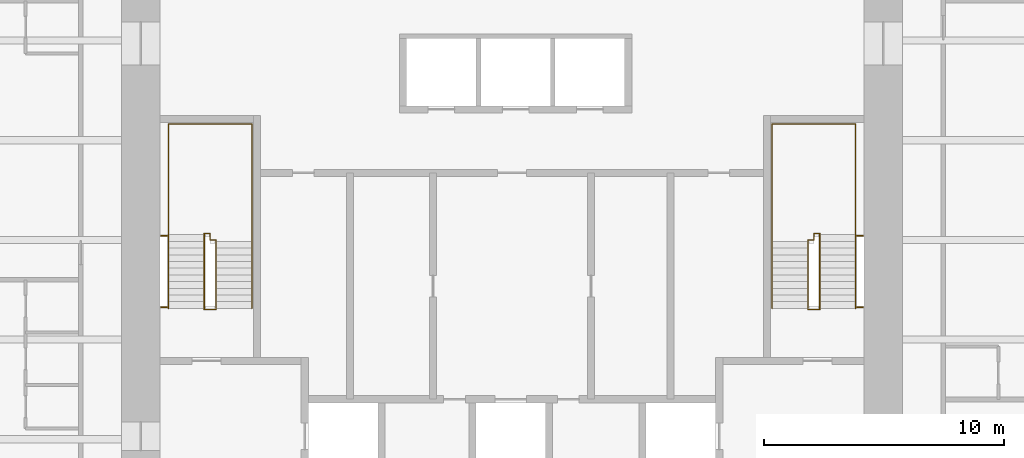
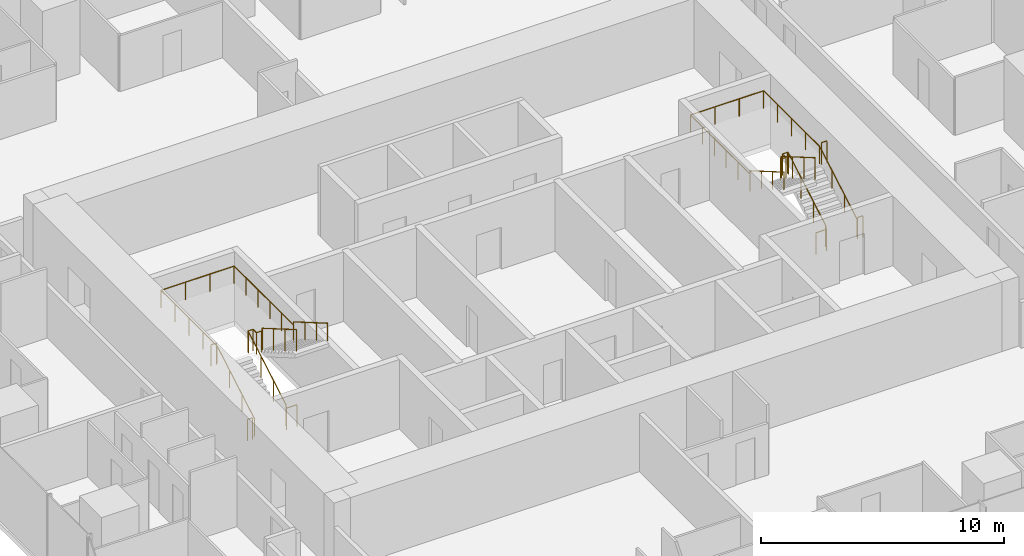
# One storey, part 12 of 12: 8 railings.
"""IFC4 building model written with IfcOpenShell, lengths in metres."""

from ifc_helpers import new_model, si_unit, direction, frame, origin, origin_2d, place, context, subcontext, project, spatial, circle, extrude, material, type_object, element, save


model = new_model("IFC4")

# Units and contexts
model_context = context("Model", 3, precision=1e-05, world=origin(), true_north=direction((0.0, 1.0)))
body_context = subcontext(model_context, "Body", "Model", "MODEL_VIEW")
ifc_project = project(units=[si_unit("LENGTHUNIT", "METRE"), si_unit("AREAUNIT", "SQUARE_METRE"), si_unit("VOLUMEUNIT", "CUBIC_METRE"), si_unit("PLANEANGLEUNIT", "RADIAN"), si_unit("MASSUNIT", "GRAM", prefix="KILO")], contexts=[model_context])

# Site, building, storey
site_placement = place(None, origin())
site = spatial("IfcSite", under=ifc_project, at=site_placement, CompositionType="ELEMENT")
building_placement = place(site_placement, origin())
building = spatial("IfcBuilding", under=site, at=building_placement, Name="Khuree Lantern Residences", CompositionType="ELEMENT")
storey_placement = place(building_placement, frame((0.0, 0.0, 214.5)))
storey = spatial("IfcBuildingStorey", under=building, at=storey_placement, Name="L53", CompositionType="ELEMENT", Elevation=214.5)

# Railings
ifc_material = material(Name="Steel S355", Category="steel")
railing_type_1 = type_object("IfcRailingType", Name="STAIR GUARD G1 1100", PredefinedType="GUARDRAIL", material=ifc_material)
railing_1_placement = place(storey_placement, frame((-12.35009765625, -2.909912109375, 0.0)))
element("IfcRailing", 1, at=railing_1_placement, inside=storey, type_object=railing_type_1, Name="Stair ST1 guard", PredefinedType="GUARDRAIL", context=body_context, shape_type="SweptSolid", body=[
    extrude(circle(Radius=0.02392578125, at=origin_2d()), frame((0.0, 0.0, 1.076171875), z_axis=(-1.0, 0.0, 0.0), x_axis=(0.0, -1.0, 0.0)), (0.0, 0.0, 1.0), 0.5),
    extrude(circle(Radius=0.02392578125, at=origin_2d()), frame((-0.5, 0.0, 1.076171875), z_axis=(0.0, 0.292073035251, 0.95639601739), x_axis=(-1.0, 0.0, 0.0)), (0.0, 0.0, 1.0), 0.17041015625),
    extrude(circle(Radius=0.02392578125, at=origin_2d()), frame((-0.5, 0.0498046875, 1.2392578125), z_axis=(0.0, 0.864176135923, 0.503189433615), x_axis=(-1.0, 0.0, 0.0)), (0.0, 0.0, 1.0), 3.564208984375),
    extrude(circle(Radius=0.02392578125, at=origin_2d()), frame((-0.5, 3.1298828125, 3.03271484375), z_axis=(0.0, 1.0, 0.0), x_axis=(-1.0, 0.0, 0.0)), (0.0, 0.0, 1.0), 0.050048828125),
    extrude(circle(Radius=0.02392578125, at=origin_2d()), frame((-0.5, 3.179931640625, 3.03271484375), z_axis=(1.0, 0.0, 0.0), x_axis=(0.0, 1.0, 0.0)), (0.0, 0.0, 1.0), 0.25),
    extrude(circle(Radius=0.02392578125, at=origin_2d()), frame((-0.25, 3.179931640625, 3.03271484375), z_axis=(0.0, -1.0, 0.0), x_axis=(1.0, 0.0, 0.0)), (0.0, 0.0, 1.0), 0.280029296875),
    extrude(circle(Radius=0.02392578125, at=origin_2d()), frame((-0.25, 2.89990234375, 3.03271484375), z_axis=(1.0, 0.0, 0.0), x_axis=(0.0, 1.0, 0.0)), (0.0, 0.0, 1.0), 0.25),
    extrude(circle(Radius=0.02392578125, at=origin_2d()), frame((0.0, 2.89990234375, 3.03271484375), z_axis=(0.0, -0.293381807449, 0.955995353053), x_axis=(1.0, 0.0, 0.0)), (0.0, 0.0, 1.0), 0.170654296875),
    extrude(circle(Radius=0.02392578125, at=origin_2d()), frame((0.0, 2.849853515625, 3.19580078125), z_axis=(0.0, -0.864180358799, 0.503182181189), x_axis=(1.0, 0.0, 0.0)), (0.0, 0.0, 1.0), 3.240234375),
    extrude(circle(Radius=0.02099609375, at=origin_2d()), origin(), (0.0, 0.0, 1.0), 1.052001953125),
    extrude(circle(Radius=0.02099609375, at=origin_2d()), frame((-0.5, 0.0, 0.0)), (0.0, 0.0, 1.0), 1.052001953125),
    extrude(circle(Radius=0.02099609375, at=origin_2d()), frame((-0.5, 0.0498046875, 0.1630859375)), (0.0, 0.0, 1.0), 1.052001953125),
    extrude(circle(Radius=0.02099609375, at=origin_2d()), frame((-0.5, 1.076416015625, 0.760986328125)), (0.0, 0.0, 1.0), 1.052001953125),
    extrude(circle(Radius=0.02099609375, at=origin_2d()), frame((-0.5, 2.103271484375, 1.358642578125)), (0.0, 0.0, 1.0), 1.052001953125),
    extrude(circle(Radius=0.02099609375, at=origin_2d()), frame((-0.5, 3.1298828125, 1.95654296875)), (0.0, 0.0, 1.0), 1.052001953125),
    extrude(circle(Radius=0.02099609375, at=origin_2d()), frame((-0.5, 3.179931640625, 1.95654296875)), (0.0, 0.0, 1.0), 1.052001953125),
    extrude(circle(Radius=0.02099609375, at=origin_2d()), frame((-0.25, 3.179931640625, 1.95654296875)), (0.0, 0.0, 1.0), 1.052001953125),
    extrude(circle(Radius=0.02099609375, at=origin_2d()), frame((-0.25, 2.89990234375, 1.95654296875)), (0.0, 0.0, 1.0), 1.052001953125),
    extrude(circle(Radius=0.02099609375, at=origin_2d()), frame((0.0, 2.89990234375, 1.95654296875)), (0.0, 0.0, 1.0), 1.052001953125),
    extrude(circle(Radius=0.02099609375, at=origin_2d()), frame((0.0, 2.849853515625, 2.11962890625)), (0.0, 0.0, 1.0), 1.052001953125),
    extrude(circle(Radius=0.02099609375, at=origin_2d()), frame((0.0, 1.91650390625, 2.6630859375)), (0.0, 0.0, 1.0), 1.052001953125),
    extrude(circle(Radius=0.02099609375, at=origin_2d()), frame((0.0, 0.983154296875, 3.20654296875)), (0.0, 0.0, 1.0), 1.052001953125),
    extrude(circle(Radius=0.02099609375, at=origin_2d()), frame((0.0, 0.0498046875, 3.75)), (0.0, 0.0, 1.0), 1.052001953125),
])
for number, where, name in (
    (2, (-14.64990234375, -2.81005859375, 0.0), "Stair ST1 landing slot guard"),
    (3, (-14.64990234375, 0.169921875, 1.95654296875), "Stair ST1 landing slot guard"),
):
    element("IfcRailing", number, at=place(storey_placement, frame(where)), inside=storey, type_object=railing_type_1, Name=name, PredefinedType="GUARDRAIL", context=body_context, shape_type="SweptSolid", body=[
        extrude(circle(Radius=0.02392578125, at=origin_2d()), frame((0.0, 0.0, 1.076171875), z_axis=(1.0, 0.0, 0.0), x_axis=(0.0, 1.0, 0.0)), (0.0, 0.0, 1.0), 0.25),
        extrude(circle(Radius=0.02099609375, at=origin_2d()), origin(), (0.0, 0.0, 1.0), 1.052001953125),
        extrude(circle(Radius=0.02099609375, at=origin_2d()), frame((0.25, 0.0, 0.0)), (0.0, 0.0, 1.0), 1.052001953125),
    ])
railing_2_placement = place(storey_placement, frame((12.35009765625, -2.909912109375, 0.0)))
element("IfcRailing", 4, at=railing_2_placement, inside=storey, type_object=railing_type_1, Name="Stair ST2 guard", PredefinedType="GUARDRAIL", context=body_context, shape_type="SweptSolid", body=[
    extrude(circle(Radius=0.02392578125, at=origin_2d()), frame((0.0, 0.0, 1.076171875), z_axis=(1.0, 0.0, 0.0), x_axis=(0.0, 1.0, 0.0)), (0.0, 0.0, 1.0), 0.5),
    extrude(circle(Radius=0.02392578125, at=origin_2d()), frame((0.5, 0.0, 1.076171875), z_axis=(0.0, 0.292073035251, 0.95639601739), x_axis=(-1.0, 0.0, 0.0)), (0.0, 0.0, 1.0), 0.17041015625),
    extrude(circle(Radius=0.02392578125, at=origin_2d()), frame((0.5, 0.0498046875, 1.2392578125), z_axis=(0.0, 0.864176135923, 0.503189433615), x_axis=(-1.0, 0.0, 0.0)), (0.0, 0.0, 1.0), 3.564208984375),
    extrude(circle(Radius=0.02392578125, at=origin_2d()), frame((0.5, 3.1298828125, 3.03271484375), z_axis=(0.0, 1.0, 0.0), x_axis=(-1.0, 0.0, 0.0)), (0.0, 0.0, 1.0), 0.050048828125),
    extrude(circle(Radius=0.02392578125, at=origin_2d()), frame((0.5, 3.179931640625, 3.03271484375), z_axis=(-1.0, 0.0, 0.0), x_axis=(0.0, -1.0, 0.0)), (0.0, 0.0, 1.0), 0.25),
    extrude(circle(Radius=0.02392578125, at=origin_2d()), frame((0.25, 3.179931640625, 3.03271484375), z_axis=(0.0, -1.0, 0.0), x_axis=(1.0, 0.0, 0.0)), (0.0, 0.0, 1.0), 0.280029296875),
    extrude(circle(Radius=0.02392578125, at=origin_2d()), frame((0.25, 2.89990234375, 3.03271484375), z_axis=(-1.0, 0.0, 0.0), x_axis=(0.0, -1.0, 0.0)), (0.0, 0.0, 1.0), 0.25),
    extrude(circle(Radius=0.02392578125, at=origin_2d()), frame((0.0, 2.89990234375, 3.03271484375), z_axis=(0.0, -0.293381807449, 0.955995353053), x_axis=(1.0, 0.0, 0.0)), (0.0, 0.0, 1.0), 0.170654296875),
    extrude(circle(Radius=0.02392578125, at=origin_2d()), frame((0.0, 2.849853515625, 3.19580078125), z_axis=(0.0, -0.864180358799, 0.503182181189), x_axis=(1.0, 0.0, 0.0)), (0.0, 0.0, 1.0), 3.240234375),
    extrude(circle(Radius=0.02099609375, at=origin_2d()), origin(), (0.0, 0.0, 1.0), 1.052001953125),
    extrude(circle(Radius=0.02099609375, at=origin_2d()), frame((0.5, 0.0, 0.0)), (0.0, 0.0, 1.0), 1.052001953125),
    extrude(circle(Radius=0.02099609375, at=origin_2d()), frame((0.5, 0.0498046875, 0.1630859375)), (0.0, 0.0, 1.0), 1.052001953125),
    extrude(circle(Radius=0.02099609375, at=origin_2d()), frame((0.5, 1.076416015625, 0.760986328125)), (0.0, 0.0, 1.0), 1.052001953125),
    extrude(circle(Radius=0.02099609375, at=origin_2d()), frame((0.5, 2.103271484375, 1.358642578125)), (0.0, 0.0, 1.0), 1.052001953125),
    extrude(circle(Radius=0.02099609375, at=origin_2d()), frame((0.5, 3.1298828125, 1.95654296875)), (0.0, 0.0, 1.0), 1.052001953125),
    extrude(circle(Radius=0.02099609375, at=origin_2d()), frame((0.5, 3.179931640625, 1.95654296875)), (0.0, 0.0, 1.0), 1.052001953125),
    extrude(circle(Radius=0.02099609375, at=origin_2d()), frame((0.25, 3.179931640625, 1.95654296875)), (0.0, 0.0, 1.0), 1.052001953125),
    extrude(circle(Radius=0.02099609375, at=origin_2d()), frame((0.25, 2.89990234375, 1.95654296875)), (0.0, 0.0, 1.0), 1.052001953125),
    extrude(circle(Radius=0.02099609375, at=origin_2d()), frame((0.0, 2.89990234375, 1.95654296875)), (0.0, 0.0, 1.0), 1.052001953125),
    extrude(circle(Radius=0.02099609375, at=origin_2d()), frame((0.0, 2.849853515625, 2.11962890625)), (0.0, 0.0, 1.0), 1.052001953125),
    extrude(circle(Radius=0.02099609375, at=origin_2d()), frame((0.0, 1.91650390625, 2.6630859375)), (0.0, 0.0, 1.0), 1.052001953125),
    extrude(circle(Radius=0.02099609375, at=origin_2d()), frame((0.0, 0.983154296875, 3.20654296875)), (0.0, 0.0, 1.0), 1.052001953125),
    extrude(circle(Radius=0.02099609375, at=origin_2d()), frame((0.0, 0.0498046875, 3.75)), (0.0, 0.0, 1.0), 1.052001953125),
])
for number, where, name in (
    (5, (14.64990234375, -2.81005859375, 0.0), "Stair ST2 landing slot guard"),
    (6, (14.64990234375, 0.169921875, 1.95654296875), "Stair ST2 landing slot guard"),
):
    element("IfcRailing", number, at=place(storey_placement, frame(where)), inside=storey, type_object=railing_type_1, Name=name, PredefinedType="GUARDRAIL", context=body_context, shape_type="SweptSolid", body=[
        extrude(circle(Radius=0.02392578125, at=origin_2d()), frame((0.0, 0.0, 1.076171875), z_axis=(-1.0, 0.0, 0.0), x_axis=(0.0, -1.0, 0.0)), (0.0, 0.0, 1.0), 0.25),
        extrude(circle(Radius=0.02099609375, at=origin_2d()), origin(), (0.0, 0.0, 1.0), 1.052001953125),
        extrude(circle(Radius=0.02099609375, at=origin_2d()), frame((-0.25, 0.0, 0.0)), (0.0, 0.0, 1.0), 1.052001953125),
    ])
railing_type_2 = type_object("IfcRailingType", Name="STAIR HANDRAIL H1 900", PredefinedType="HANDRAIL", material=ifc_material)
railing_3_placement = place(storey_placement, frame((-14.340087890625, -2.860107421875, 0.1630859375)))
element("IfcRailing", 7, at=railing_3_placement, inside=storey, type_object=railing_type_2, Name="Stair ST1 handrail", PredefinedType="HANDRAIL", context=body_context, shape_type="SweptSolid", body=[
    extrude(circle(Radius=0.02392578125, at=origin_2d()), frame((0.0, 0.0, 0.8759765625), z_axis=(0.0, 0.864176135923, 0.503189433615), x_axis=(-1.0, 0.0, 0.0)), (0.0, 0.0, 1.0), 3.564208984375),
    extrude(circle(Radius=0.02392578125, at=origin_2d()), frame((0.0, 3.080078125, 2.66943359375), z_axis=(0.0, 1.0, 0.0), x_axis=(-1.0, 0.0, 0.0)), (0.0, 0.0, 1.0), 4.6201171875),
    extrude(circle(Radius=0.02392578125, at=origin_2d()), frame((0.0, 7.7001953125, 2.66943359375), z_axis=(1.0, 0.0, 0.0), x_axis=(0.0, 1.0, 0.0)), (0.0, 0.0, 1.0), 3.47998046875),
    extrude(circle(Radius=0.02392578125, at=origin_2d()), frame((3.47998046875, 7.7001953125, 2.66943359375), z_axis=(0.0, -1.0, 0.0), x_axis=(1.0, 0.0, 0.0)), (0.0, 0.0, 1.0), 4.900146484375),
    extrude(circle(Radius=0.02392578125, at=origin_2d()), frame((3.47998046875, 2.800048828125, 2.66943359375), z_axis=(0.0, 0.0, 1.0), x_axis=(1.0, 0.0, 0.0)), (0.0, 0.0, 1.0), 0.1630859375),
    extrude(circle(Radius=0.02392578125, at=origin_2d()), frame((3.47998046875, 2.800048828125, 2.83251953125), z_axis=(0.0, -0.864180358799, 0.503182181189), x_axis=(1.0, 0.0, 0.0)), (0.0, 0.0, 1.0), 3.240234375),
    extrude(circle(Radius=0.02099609375, at=origin_2d()), origin(), (0.0, 0.0, 1.0), 0.851806640625),
    extrude(circle(Radius=0.02099609375, at=origin_2d()), frame((0.0, 1.026611328125, 0.597900390625)), (0.0, 0.0, 1.0), 0.851806640625),
    extrude(circle(Radius=0.02099609375, at=origin_2d()), frame((0.0, 2.053466796875, 1.195556640625)), (0.0, 0.0, 1.0), 0.851806640625),
    extrude(circle(Radius=0.02099609375, at=origin_2d()), frame((0.0, 3.080078125, 1.79345703125)), (0.0, 0.0, 1.0), 0.851806640625),
    extrude(circle(Radius=0.02099609375, at=origin_2d()), frame((0.0, 4.235107421875, 1.79345703125)), (0.0, 0.0, 1.0), 0.851806640625),
    extrude(circle(Radius=0.02099609375, at=origin_2d()), frame((0.0, 5.39013671875, 1.79345703125)), (0.0, 0.0, 1.0), 0.851806640625),
    extrude(circle(Radius=0.02099609375, at=origin_2d()), frame((0.0, 6.545166015625, 1.79345703125)), (0.0, 0.0, 1.0), 0.851806640625),
    extrude(circle(Radius=0.02099609375, at=origin_2d()), frame((0.0, 7.7001953125, 1.79345703125)), (0.0, 0.0, 1.0), 0.851806640625),
    extrude(circle(Radius=0.02099609375, at=origin_2d()), frame((1.159912109375, 7.7001953125, 1.79345703125)), (0.0, 0.0, 1.0), 0.851806640625),
    extrude(circle(Radius=0.02099609375, at=origin_2d()), frame((2.320068359375, 7.7001953125, 1.79345703125)), (0.0, 0.0, 1.0), 0.851806640625),
    extrude(circle(Radius=0.02099609375, at=origin_2d()), frame((3.47998046875, 7.7001953125, 1.79345703125)), (0.0, 0.0, 1.0), 0.851806640625),
    extrude(circle(Radius=0.02099609375, at=origin_2d()), frame((3.47998046875, 6.72021484375, 1.79345703125)), (0.0, 0.0, 1.0), 0.851806640625),
    extrude(circle(Radius=0.02099609375, at=origin_2d()), frame((3.47998046875, 5.740234375, 1.79345703125)), (0.0, 0.0, 1.0), 0.851806640625),
    extrude(circle(Radius=0.02099609375, at=origin_2d()), frame((3.47998046875, 4.760009765625, 1.79345703125)), (0.0, 0.0, 1.0), 0.851806640625),
    extrude(circle(Radius=0.02099609375, at=origin_2d()), frame((3.47998046875, 3.780029296875, 1.79345703125)), (0.0, 0.0, 1.0), 0.851806640625),
    extrude(circle(Radius=0.02099609375, at=origin_2d()), frame((3.47998046875, 2.800048828125, 1.79345703125)), (0.0, 0.0, 1.0), 0.851806640625),
    extrude(circle(Radius=0.02099609375, at=origin_2d()), frame((3.47998046875, 2.800048828125, 1.95654296875)), (0.0, 0.0, 1.0), 0.851806640625),
    extrude(circle(Radius=0.02099609375, at=origin_2d()), frame((3.47998046875, 1.86669921875, 2.5)), (0.0, 0.0, 1.0), 0.851806640625),
    extrude(circle(Radius=0.02099609375, at=origin_2d()), frame((3.47998046875, 0.933349609375, 3.04345703125)), (0.0, 0.0, 1.0), 0.851806640625),
    extrude(circle(Radius=0.02099609375, at=origin_2d()), frame((3.47998046875, 0.0, 3.5869140625)), (0.0, 0.0, 1.0), 0.851806640625),
])
railing_4_placement = place(storey_placement, frame((14.340087890625, -2.860107421875, 0.1630859375)))
element("IfcRailing", 8, at=railing_4_placement, inside=storey, type_object=railing_type_2, Name="Stair ST2 handrail", PredefinedType="HANDRAIL", context=body_context, shape_type="SweptSolid", body=[
    extrude(circle(Radius=0.02392578125, at=origin_2d()), frame((0.0, 0.0, 0.8759765625), z_axis=(0.0, 0.864176135923, 0.503189433615), x_axis=(-1.0, 0.0, 0.0)), (0.0, 0.0, 1.0), 3.564208984375),
    extrude(circle(Radius=0.02392578125, at=origin_2d()), frame((0.0, 3.080078125, 2.66943359375), z_axis=(0.0, 1.0, 0.0), x_axis=(-1.0, 0.0, 0.0)), (0.0, 0.0, 1.0), 4.6201171875),
    extrude(circle(Radius=0.02392578125, at=origin_2d()), frame((0.0, 7.7001953125, 2.66943359375), z_axis=(-1.0, 0.0, 0.0), x_axis=(0.0, -1.0, 0.0)), (0.0, 0.0, 1.0), 3.47998046875),
    extrude(circle(Radius=0.02392578125, at=origin_2d()), frame((-3.47998046875, 7.7001953125, 2.66943359375), z_axis=(0.0, -1.0, 0.0), x_axis=(1.0, 0.0, 0.0)), (0.0, 0.0, 1.0), 4.900146484375),
    extrude(circle(Radius=0.02392578125, at=origin_2d()), frame((-3.47998046875, 2.800048828125, 2.66943359375), z_axis=(0.0, 0.0, 1.0), x_axis=(1.0, 0.0, 0.0)), (0.0, 0.0, 1.0), 0.1630859375),
    extrude(circle(Radius=0.02392578125, at=origin_2d()), frame((-3.47998046875, 2.800048828125, 2.83251953125), z_axis=(0.0, -0.864180358799, 0.503182181189), x_axis=(1.0, 0.0, 0.0)), (0.0, 0.0, 1.0), 3.240234375),
    extrude(circle(Radius=0.02099609375, at=origin_2d()), origin(), (0.0, 0.0, 1.0), 0.851806640625),
    extrude(circle(Radius=0.02099609375, at=origin_2d()), frame((0.0, 1.026611328125, 0.597900390625)), (0.0, 0.0, 1.0), 0.851806640625),
    extrude(circle(Radius=0.02099609375, at=origin_2d()), frame((0.0, 2.053466796875, 1.195556640625)), (0.0, 0.0, 1.0), 0.851806640625),
    extrude(circle(Radius=0.02099609375, at=origin_2d()), frame((0.0, 3.080078125, 1.79345703125)), (0.0, 0.0, 1.0), 0.851806640625),
    extrude(circle(Radius=0.02099609375, at=origin_2d()), frame((0.0, 4.235107421875, 1.79345703125)), (0.0, 0.0, 1.0), 0.851806640625),
    extrude(circle(Radius=0.02099609375, at=origin_2d()), frame((0.0, 5.39013671875, 1.79345703125)), (0.0, 0.0, 1.0), 0.851806640625),
    extrude(circle(Radius=0.02099609375, at=origin_2d()), frame((0.0, 6.545166015625, 1.79345703125)), (0.0, 0.0, 1.0), 0.851806640625),
    extrude(circle(Radius=0.02099609375, at=origin_2d()), frame((0.0, 7.7001953125, 1.79345703125)), (0.0, 0.0, 1.0), 0.851806640625),
    extrude(circle(Radius=0.02099609375, at=origin_2d()), frame((-1.159912109375, 7.7001953125, 1.79345703125)), (0.0, 0.0, 1.0), 0.851806640625),
    extrude(circle(Radius=0.02099609375, at=origin_2d()), frame((-2.320068359375, 7.7001953125, 1.79345703125)), (0.0, 0.0, 1.0), 0.851806640625),
    extrude(circle(Radius=0.02099609375, at=origin_2d()), frame((-3.47998046875, 7.7001953125, 1.79345703125)), (0.0, 0.0, 1.0), 0.851806640625),
    extrude(circle(Radius=0.02099609375, at=origin_2d()), frame((-3.47998046875, 6.72021484375, 1.79345703125)), (0.0, 0.0, 1.0), 0.851806640625),
    extrude(circle(Radius=0.02099609375, at=origin_2d()), frame((-3.47998046875, 5.740234375, 1.79345703125)), (0.0, 0.0, 1.0), 0.851806640625),
    extrude(circle(Radius=0.02099609375, at=origin_2d()), frame((-3.47998046875, 4.760009765625, 1.79345703125)), (0.0, 0.0, 1.0), 0.851806640625),
    extrude(circle(Radius=0.02099609375, at=origin_2d()), frame((-3.47998046875, 3.780029296875, 1.79345703125)), (0.0, 0.0, 1.0), 0.851806640625),
    extrude(circle(Radius=0.02099609375, at=origin_2d()), frame((-3.47998046875, 2.800048828125, 1.79345703125)), (0.0, 0.0, 1.0), 0.851806640625),
    extrude(circle(Radius=0.02099609375, at=origin_2d()), frame((-3.47998046875, 2.800048828125, 1.95654296875)), (0.0, 0.0, 1.0), 0.851806640625),
    extrude(circle(Radius=0.02099609375, at=origin_2d()), frame((-3.47998046875, 1.86669921875, 2.5)), (0.0, 0.0, 1.0), 0.851806640625),
    extrude(circle(Radius=0.02099609375, at=origin_2d()), frame((-3.47998046875, 0.933349609375, 3.04345703125)), (0.0, 0.0, 1.0), 0.851806640625),
    extrude(circle(Radius=0.02099609375, at=origin_2d()), frame((-3.47998046875, 0.0, 3.5869140625)), (0.0, 0.0, 1.0), 0.851806640625),
])

save(model, "model.ifc")
